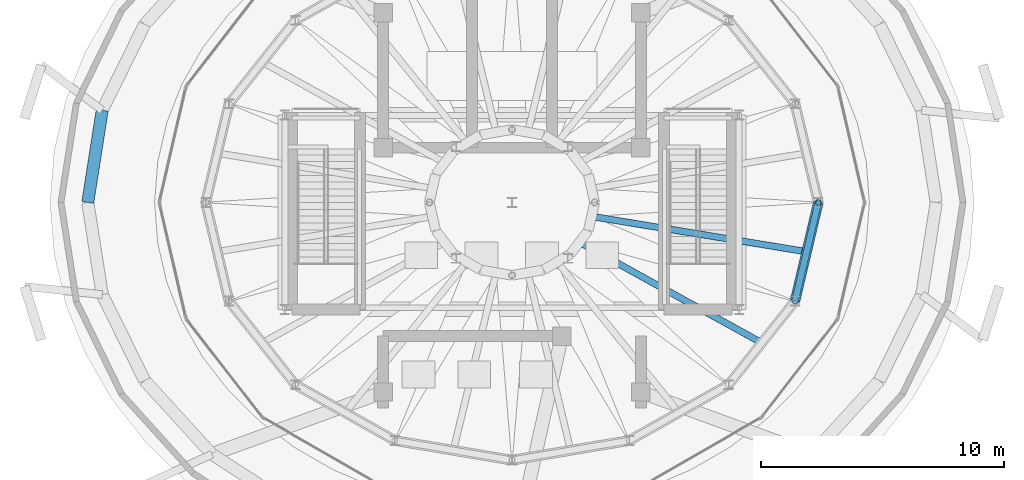
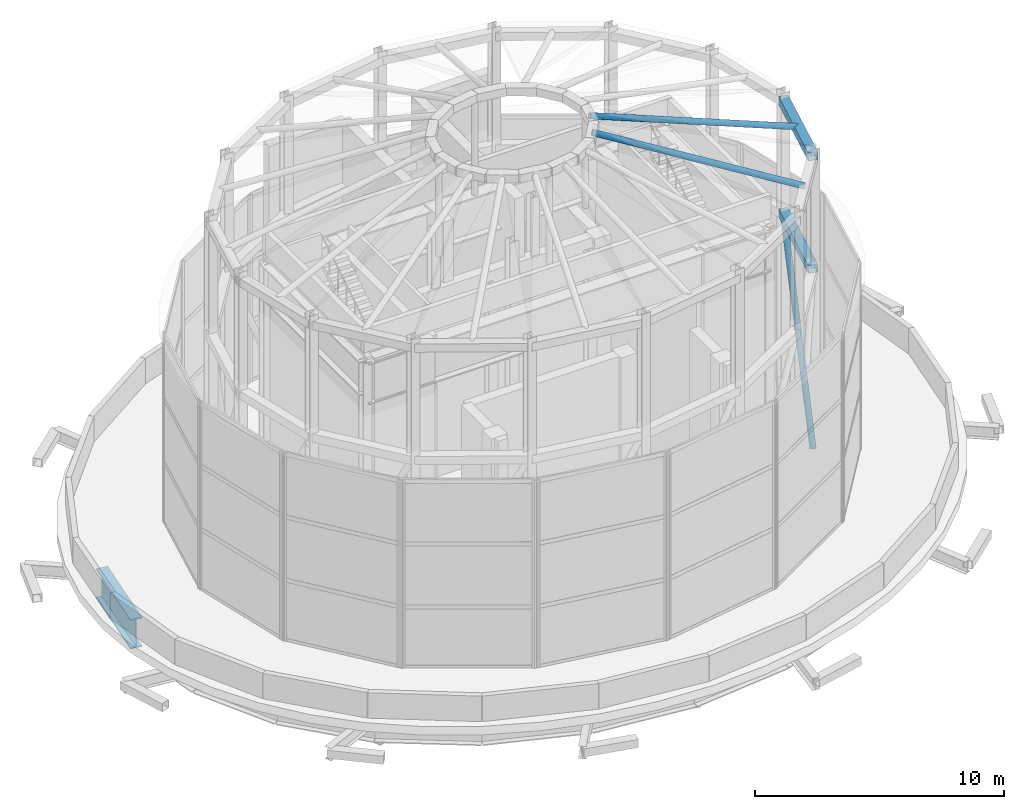
# One storey, part 9 of 22: 3 beams, 3 members.
"""IFC4 building model written with IfcOpenShell, lengths in metres."""

from ifc_helpers import new_model, si_unit, direction, frame, origin, origin_2d, place, context, subcontext, project, spatial, hollow_rectangle, hollow_circle, i_section, extrude, material, material_profile, profile_set, type_object, element, save


model = new_model("IFC4")

# Units and contexts
model_context = context("Model", 3, precision=1e-05, world=origin(), true_north=direction((0.0, 1.0)))
body_context = subcontext(model_context, "Body", "Model", "MODEL_VIEW")
ifc_project = project(units=[si_unit("LENGTHUNIT", "METRE"), si_unit("AREAUNIT", "SQUARE_METRE"), si_unit("VOLUMEUNIT", "CUBIC_METRE"), si_unit("PLANEANGLEUNIT", "RADIAN"), si_unit("MASSUNIT", "GRAM", prefix="KILO")], contexts=[model_context])

# Site, building, storey
site_placement = place(None, origin())
site = spatial("IfcSite", under=ifc_project, at=site_placement, CompositionType="ELEMENT")
building_placement = place(site_placement, origin())
building = spatial("IfcBuilding", under=site, at=building_placement, Name="Nuhasar Tower", CompositionType="ELEMENT")
storey_placement = place(building_placement, frame((0.0, 0.0, 313.39990234375)))
storey = spatial("IfcBuildingStorey", under=building, at=storey_placement, Name="Roof Drum", CompositionType="ELEMENT", Elevation=313.39990234375)

# Beams
ifc_material_1 = material(Name="Steel S355", Category="steel")
ifc_material_profile_1 = material_profile(ifc_material_1, hollow_rectangle(XDim=0.39990234375, YDim=0.39990234375, WallThickness=0.01611328125, at=origin_2d()), Name="HSS400X400X16")
ifc_profile_set_1 = profile_set([ifc_material_profile_1], Name="Steel S355")
beam_type_1 = type_object("IfcBeamType", Name="BM-CRN-HSS400", PredefinedType="SPANDREL", material=ifc_profile_set_1)
for number, where, z_axis, x_axis, name in (
    (1, (50.64111328125, 22.743896484375, 9.02001953125), (0.230083955502, 0.973170783275, 0.0), (-0.973170783275, 0.230083955502, 0.0), "Crown Drum Eave Ring Beam 16"),
    (2, (50.64111328125, 22.743896484375, 14.5400390625), (0.230083955502, 0.973170783275, 0.0), (-0.973170783275, 0.230083955502, 0.0), "Crown Drum Top Ring Beam 16"),
):
    element("IfcBeam", number, at=place(storey_placement, frame(where, z_axis=z_axis, x_axis=x_axis)), inside=storey, type_object=beam_type_1, Name=name, PredefinedType="SPANDREL", context=body_context, shape_type="SweptSolid", body=[
        extrude(hollow_rectangle(XDim=0.39990234375, YDim=0.39990234375, WallThickness=0.01611328125, at=origin_2d()), origin(), (0.0, 0.0, 1.0), 4.16796875),
    ])
ifc_material_2 = material(Name="Steel S460", Category="steel")
ifc_material_profile_2 = material_profile(ifc_material_2, i_section(OverallWidth=0.5, OverallDepth=1.449951171875, WebThickness=0.028076171875, FlangeThickness=0.050048828125, at=origin_2d()), Name="PG1450X500")
ifc_profile_set_2 = profile_set([ifc_material_profile_2], Name="Steel S460")
beam_type_2 = type_object("IfcBeamType", Name="BM-XFER-PG1450", PredefinedType="USERDEFINED", material=ifc_profile_set_2)
beam_placement = place(storey_placement, frame((22.14501953125, 30.592041015625, -1.14501953125), z_axis=(-0.155005502158, -0.987913606699, 0.0), x_axis=(0.987913606699, -0.155005502158, 0.0)))
element("IfcBeam", 3, at=beam_placement, inside=storey, type_object=beam_type_2, Name="Roof Drum Outer Setback Spandrel 12", ObjectType="GIRDER", PredefinedType="USERDEFINED", context=body_context, shape_type="SweptSolid", body=[
    extrude(i_section(OverallWidth=0.5, OverallDepth=1.449951171875, WebThickness=0.028076171875, FlangeThickness=0.050048828125, at=origin_2d()), origin(), (0.0, 0.0, 1.0), 3.83837890625),
])

# Members
ifc_material_profile_3 = material_profile(ifc_material_1, hollow_circle(Radius=0.136474609375, WallThickness=0.0126953125, at=origin_2d()), Name="HSS273.1X12.7")
ifc_profile_set_3 = profile_set([ifc_material_profile_3], Name="Steel S355")
member_type_1 = type_object("IfcMemberType", Name="CRN-DIAG-273", PredefinedType="BRACE", material=ifc_profile_set_3)
member_1_placement = place(storey_placement, frame((50.64111328125, 22.743896484375, 0.2001953125), z_axis=(0.098306287971, 0.415799559152, 0.904127535448), x_axis=(-0.973170783275, 0.230083955502, 0.0)))
element("IfcMember", 4, at=member_1_placement, inside=storey, type_object=member_type_1, Name="Crown Drum Frame Brace 16", PredefinedType="BRACE", context=body_context, shape_type="SweptSolid", body=[
    extrude(hollow_circle(Radius=0.136474609375, WallThickness=0.0126953125, at=origin_2d()), origin(), (0.0, 0.0, 1.0), 9.755126953125),
])
ifc_material_profile_4 = material_profile(ifc_material_2, hollow_circle(Radius=0.136474609375, WallThickness=0.0126953125, at=origin_2d()), Name="HSS273.1X12.7")
ifc_profile_set_4 = profile_set([ifc_material_profile_4], Name="Steel S460")
member_type_2 = type_object("IfcMemberType", Name="CRN-RAFTER-273", PredefinedType="RAFTER", material=ifc_profile_set_4)
member_2_placement = place(storey_placement, frame((49.27490234375, 21.02392578125, 14.60009765625), z_axis=(-0.833273340837, 0.460079259979, 0.306565839565), x_axis=(-0.483352968583, -0.875425558093, 0.0)))
element("IfcMember", 5, at=member_2_placement, inside=storey, type_object=member_type_2, Name="Crown Dome Radial Bearing Rafter 15", PredefinedType="RAFTER", context=body_context, shape_type="SweptSolid", body=[
    extrude(hollow_circle(Radius=0.136474609375, WallThickness=0.0126953125, at=origin_2d()), origin(), (0.0, 0.0, 1.0), 9.0029296875),
])
member_3_placement = place(storey_placement, frame((51.1201171875, 24.77197265625, 14.60009765625), z_axis=(-0.943121969736, 0.154958191772, 0.294123968769), x_axis=(-0.162129626352, -0.986769468649, 0.0)))
element("IfcMember", 6, at=member_3_placement, inside=storey, type_object=member_type_2, Name="Crown Dome Radial Bearing Rafter 16", PredefinedType="RAFTER", context=body_context, shape_type="SweptSolid", body=[
    extrude(hollow_circle(Radius=0.136474609375, WallThickness=0.0126953125, at=origin_2d()), origin(), (0.0, 0.0, 1.0), 9.3837890625),
])

save(model, "model.ifc")
